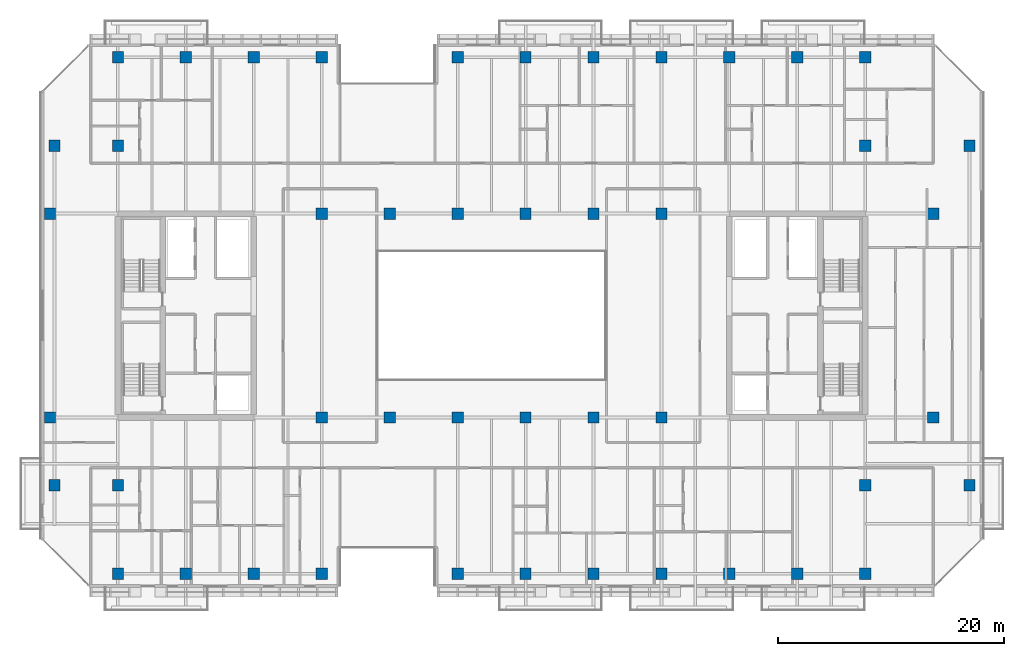
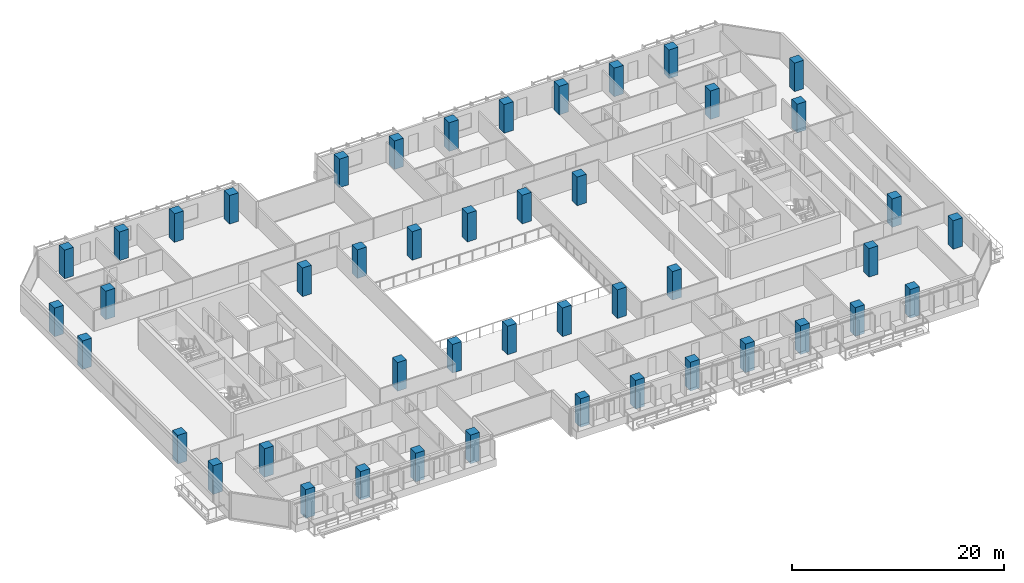
# One storey, part 1 of 33: 46 columns.
"""IFC4 building model written with IfcOpenShell, lengths in metres."""

from ifc_helpers import new_model, si_unit, direction, frame, origin, origin_2d, place, context, subcontext, project, spatial, rectangle, extrude, material, material_profile, profile_set, type_object, element, save


model = new_model("IFC4")

# Units and contexts
model_context = context("Model", 3, precision=1e-05, world=origin(), true_north=direction((0.0, 1.0)))
body_context = subcontext(model_context, "Body", "Model", "MODEL_VIEW")
ifc_project = project(units=[si_unit("LENGTHUNIT", "METRE"), si_unit("AREAUNIT", "SQUARE_METRE"), si_unit("VOLUMEUNIT", "CUBIC_METRE"), si_unit("PLANEANGLEUNIT", "RADIAN"), si_unit("MASSUNIT", "GRAM", prefix="KILO")], contexts=[model_context])

# Site, building, storey
site_placement = place(None, origin())
site = spatial("IfcSite", under=ifc_project, at=site_placement, CompositionType="ELEMENT")
building_placement = place(site_placement, origin())
building = spatial("IfcBuilding", under=site, at=building_placement, Name="Tanjung Sevakor Pilgrim Tower", CompositionType="ELEMENT")
storey_placement = place(building_placement, frame((0.0, 0.0, 95.3701171875)))
storey = spatial("IfcBuildingStorey", under=building, at=storey_placement, Name="L26", CompositionType="ELEMENT", Elevation=95.3701171875)

# Columns
ifc_material = material(Name="Concrete C60/75", Category="concrete")
ifc_material_profile = material_profile(ifc_material, rectangle(XDim=1.0, YDim=1.0, at=origin_2d()))
ifc_profile_set = profile_set([ifc_material_profile], Name="Concrete C60/75")
column_type = type_object("IfcColumnType", Name="COL-C-T1000-RC_1000x1000", PredefinedType="COLUMN", material=ifc_profile_set)
for number, where, z_axis, x_axis, name in (
    (1, (18.0, 24.60009765625, 0.0), (0.0, 0.0, 1.0), (1.0, 0.0, 0.0), "L26 Column SPW-018-246"),
    (2, (18.0, 42.60009765625, 0.0), (0.0, 0.0, 1.0), (1.0, 0.0, 0.0), "L26 Column SPW-018-426"),
    (3, (42.0, 24.60009765625, 0.0), (0.0, 0.0, 1.0), (1.0, 0.0, 0.0), "L26 Column SPW-042-246"),
    (4, (42.0, 42.60009765625, 0.0), (0.0, 0.0, 1.0), (1.0, 0.0, 0.0), "L26 Column SPW-042-426"),
    (5, (48.0, 24.60009765625, 0.0), (0.0, 0.0, 1.0), (1.0, 0.0, 0.0), "L26 Column SPW-048-246"),
    (6, (48.0, 42.60009765625, 0.0), (0.0, 0.0, 1.0), (1.0, 0.0, 0.0), "L26 Column SPW-048-426"),
    (7, (54.0, 24.60009765625, 0.0), (0.0, 0.0, 1.0), (1.0, 0.0, 0.0), "L26 Column SPE-054-246"),
    (8, (54.0, 42.60009765625, 0.0), (0.0, 0.0, 1.0), (1.0, 0.0, 0.0), "L26 Column SPE-054-426"),
    (9, (60.0, 24.60009765625, 0.0), (0.0, 0.0, 1.0), (1.0, 0.0, 0.0), "L26 Column SPE-060-246"),
    (10, (60.0, 42.60009765625, 0.0), (0.0, 0.0, 1.0), (1.0, 0.0, 0.0), "L26 Column SPE-060-426"),
    (11, (66.0, 24.60009765625, 0.0), (0.0, 0.0, 1.0), (1.0, 0.0, 0.0), "L26 Column SPE-066-246"),
    (12, (66.0, 42.60009765625, 0.0), (0.0, 0.0, 1.0), (1.0, 0.0, 0.0), "L26 Column SPE-066-426"),
    (13, (72.0, 24.60009765625, 0.0), (0.0, 0.0, 1.0), (1.0, 0.0, 0.0), "L26 Column SPE-072-246"),
    (14, (72.0, 42.60009765625, 0.0), (0.0, 0.0, 1.0), (1.0, 0.0, 0.0), "L26 Column SPE-072-426"),
    (15, (96.0, 24.60009765625, 0.0), (0.0, 0.0, 1.0), (1.0, 0.0, 0.0), "L26 Column SPE-096-246"),
    (16, (96.0, 42.60009765625, 0.0), (0.0, 0.0, 1.0), (1.0, 0.0, 0.0), "L26 Column SPE-096-426"),
    (17, (18.39990234375, 18.60009765625, 0.0), (0.0, 0.0, 1.0), (1.0, 0.0, 0.0), "L26 Column TCE-0184-186"),
    (18, (18.39990234375, 48.60009765625, 0.0), (0.0, 0.0, 1.0), (1.0, 0.0, 0.0), "L26 Column TCE-0184-486"),
    (19, (24.0, 18.60009765625, 0.0), (0.0, 0.0, 1.0), (1.0, 0.0, 0.0), "L26 Column TCE-0240-186"),
    (20, (24.0, 48.60009765625, 0.0), (0.0, 0.0, 1.0), (1.0, 0.0, 0.0), "L26 Column TCE-0240-486"),
    (21, (90.0, 18.60009765625, 0.0), (0.0, 0.0, 1.0), (1.0, 0.0, 0.0), "L26 Column TCE-0900-186"),
    (22, (90.0, 48.60009765625, 0.0), (0.0, 0.0, 1.0), (1.0, 0.0, 0.0), "L26 Column TCE-0900-486"),
    (23, (99.199951171875, 18.60009765625, 0.0), (0.0, 0.0, 1.0), (1.0, 0.0, 0.0), "L26 Column TCE-0992-186"),
    (24, (99.199951171875, 48.60009765625, 0.0), (0.0, 0.0, 1.0), (1.0, 0.0, 0.0), "L26 Column TCE-0992-486"),
    (25, (24.0, 10.800048828125, 0.0), (0.0, 0.0, 1.0), (1.0, 0.0, 0.0), "L26 Column TC2-024-108"),
    (26, (24.0, 56.39990234375, 0.0), (0.0, 0.0, 1.0), (1.0, 0.0, 0.0), "L26 Column TC2-024-564"),
    (27, (30.0, 10.800048828125, 0.0), (0.0, 0.0, 1.0), (1.0, 0.0, 0.0), "L26 Column TC2-030-108"),
    (28, (30.0, 56.39990234375, 0.0), (0.0, 0.0, 1.0), (1.0, 0.0, 0.0), "L26 Column TC2-030-564"),
    (29, (36.0, 10.800048828125, 0.0), (0.0, 0.0, 1.0), (1.0, 0.0, 0.0), "L26 Column TC2-036-108"),
    (30, (36.0, 56.39990234375, 0.0), (0.0, 0.0, 1.0), (1.0, 0.0, 0.0), "L26 Column TC2-036-564"),
    (31, (42.0, 10.800048828125, 0.0), (0.0, 0.0, 1.0), (1.0, 0.0, 0.0), "L26 Column TC2-042-108"),
    (32, (42.0, 56.39990234375, 0.0), (0.0, 0.0, 1.0), (1.0, 0.0, 0.0), "L26 Column TC2-042-564"),
    (33, (54.0, 10.800048828125, 0.0), (0.0, 0.0, 1.0), (1.0, 0.0, 0.0), "L26 Column TC2-054-108"),
    (34, (54.0, 56.39990234375, 0.0), (0.0, 0.0, 1.0), (1.0, 0.0, 0.0), "L26 Column TC2-054-564"),
    (35, (60.0, 10.800048828125, 0.0), (0.0, 0.0, 1.0), (1.0, 0.0, 0.0), "L26 Column TC2-060-108"),
    (36, (60.0, 56.39990234375, 0.0), (0.0, 0.0, 1.0), (1.0, 0.0, 0.0), "L26 Column TC2-060-564"),
    (37, (66.0, 10.800048828125, 0.0), (0.0, 0.0, 1.0), (1.0, 0.0, 0.0), "L26 Column TC2-066-108"),
    (38, (66.0, 56.39990234375, 0.0), (0.0, 0.0, 1.0), (1.0, 0.0, 0.0), "L26 Column TC2-066-564"),
    (39, (72.0, 10.800048828125, 0.0), (0.0, 0.0, 1.0), (1.0, 0.0, 0.0), "L26 Column TC2-072-108"),
    (40, (72.0, 56.39990234375, 0.0), (0.0, 0.0, 1.0), (1.0, 0.0, 0.0), "L26 Column TC2-072-564"),
    (41, (78.0, 10.800048828125, 0.0), (0.0, 0.0, 1.0), (1.0, 0.0, 0.0), "L26 Column TC2-078-108"),
    (42, (78.0, 56.39990234375, 0.0), (0.0, 0.0, 1.0), (1.0, 0.0, 0.0), "L26 Column TC2-078-564"),
    (43, (84.0, 10.800048828125, 0.0), (0.0, 0.0, 1.0), (1.0, 0.0, 0.0), "L26 Column TC2-084-108"),
    (44, (84.0, 56.39990234375, 0.0), (0.0, 0.0, 1.0), (1.0, 0.0, 0.0), "L26 Column TC2-084-564"),
    (45, (90.0, 10.800048828125, 0.0), (0.0, 0.0, 1.0), (1.0, 0.0, 0.0), "L26 Column TC2-090-108"),
    (46, (90.0, 56.39990234375, 0.0), (0.0, 0.0, 1.0), (1.0, 0.0, 0.0), "L26 Column TC2-090-564"),
):
    element("IfcColumn", number, at=place(storey_placement, frame(where, z_axis=z_axis, x_axis=x_axis)), inside=storey, type_object=column_type, Name=name, PredefinedType="COLUMN", context=body_context, shape_type="SweptSolid", body=[
        extrude(rectangle(XDim=1.0, YDim=1.0, at=origin_2d()), origin(), (0.0, 0.0, 1.0), 3.2998046875),
    ])

save(model, "model.ifc")
